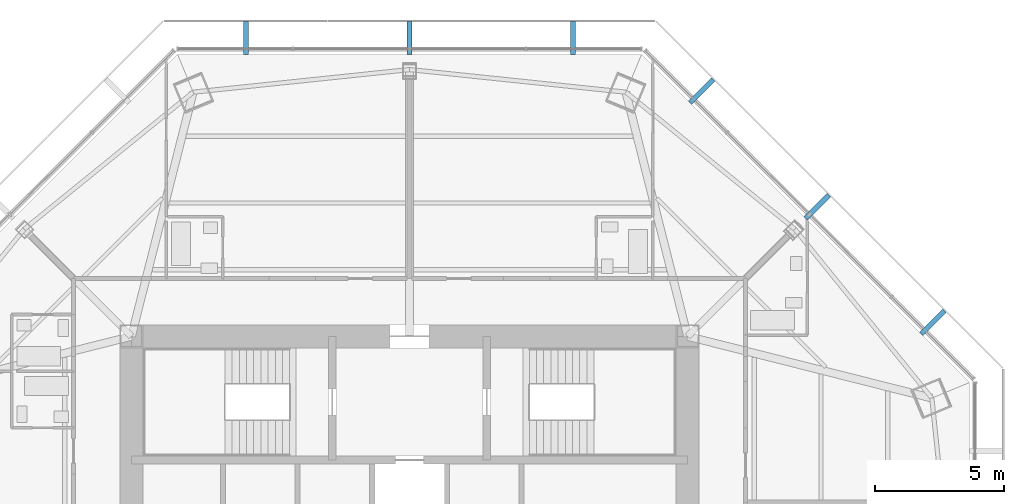
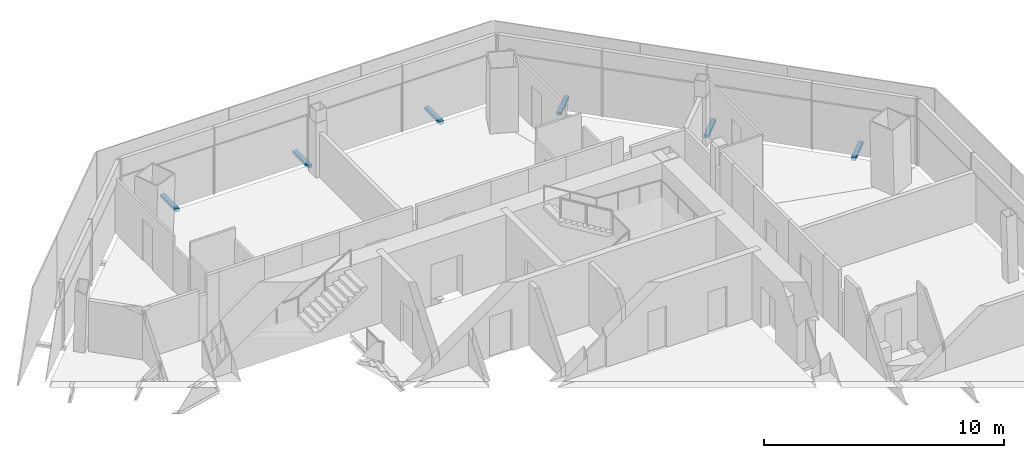
# One storey, part 13 of 15: 6 discrete accessories.
"""IFC4 building model written with IfcOpenShell, lengths in metres."""

import ifcopenshell
import ifcopenshell.guid

model = None  # the IFC model being written
_history = None  # IfcOwnerHistory: only IFC2X3 demands one
_inside = {}  # id of a spatial element -> (the spatial element, [elements in it])
_under = {}  # id of a project, library or spatial element -> (it, [spatial elements below it])
_declared = {}  # id of a project -> (the project, [libraries it declares])
_typed = {}  # id of a type object -> (the type object, [elements of that type])
_made_of = {}  # id of a material, layer set ... -> (it, [elements and type objects made of it])


def new_model(schema):
    """Start an empty IFC model of exactly this schema.

    Asked for "IFC4X3", IfcOpenShell would pick the latest addendum, in which some entities
    have other attributes; the version numbers below select the first issue.
    IFC2X3 requires an IfcOwnerHistory on every rooted entity: one is made here for all.
    """
    global model, _history
    if schema == "IFC4X3":
        model = ifcopenshell.file(schema_version=(4, 3, 0, 0))
    else:
        model = ifcopenshell.file(schema=schema)
    _inside.clear()
    _under.clear()
    _declared.clear()
    _typed.clear()
    _made_of.clear()
    _history = None
    if model.schema == "IFC2X3":
        org = make("IfcOrganization", Name="unknown")
        user = make(
            "IfcPersonAndOrganization",
            ThePerson=make("IfcPerson", FamilyName="unknown"),
            TheOrganization=org,
        )
        app = make(
            "IfcApplication",
            ApplicationDeveloper=org,
            Version="unknown",
            ApplicationFullName="unknown",
            ApplicationIdentifier="unknown",
        )
        _history = make(
            "IfcOwnerHistory",
            OwningUser=user,
            OwningApplication=app,
            ChangeAction="ADDED",
            CreationDate=0,
        )
    return model


def make(cls, **values):
    """One entity of the class cls with the attributes given. An attribute that is None is left unset."""
    return model.create_entity(
        cls, **{name: value for name, value in values.items() if value is not None}
    )


def rooted(cls, **values):
    """An entity with a GlobalId (a new one), such as an element, a storey or a relation."""
    return make(cls, GlobalId=ifcopenshell.guid.new(), OwnerHistory=_history, **values)


def si_unit(unit_type, name, prefix=None):
    """IfcSIUnit, for example si_unit("LENGTHUNIT", "METRE", prefix="MILLI")."""
    return make("IfcSIUnit", UnitType=unit_type, Prefix=prefix, Name=name)


def assignment(units):
    """IfcUnitAssignment: the units of a project."""
    return None if units is None else make("IfcUnitAssignment", Units=units)


def point(xyz):
    """IfcCartesianPoint."""
    return None if xyz is None else make("IfcCartesianPoint", Coordinates=xyz)


def direction(xyz):
    """IfcDirection."""
    return None if xyz is None else make("IfcDirection", DirectionRatios=xyz)


def frame(location, z_axis=None, x_axis=None):
    """IfcAxis2Placement3D, a coordinate frame: its origin and axes. An axis left out is left unset."""
    return make(
        "IfcAxis2Placement3D",
        Location=point(location),
        Axis=direction(z_axis),
        RefDirection=direction(x_axis),
    )


def frame_2d(location, x_axis=None):
    """IfcAxis2Placement2D, a coordinate frame in the plane: its origin and x axis."""
    return make(
        "IfcAxis2Placement2D", Location=point(location), RefDirection=direction(x_axis)
    )


def origin():
    """The frame at (0, 0, 0) with its axes left unset."""
    return frame((0.0, 0.0, 0.0))


def origin_2d():
    """The frame at (0, 0) in the plane with its x axis left unset."""
    return frame_2d((0.0, 0.0))


def place(relative_to, where):
    """IfcLocalPlacement: puts the frame where relative to a parent placement (None: the world)."""
    return make(
        "IfcLocalPlacement", PlacementRelTo=relative_to, RelativePlacement=where
    )


def context(
    kind, dimensions, precision=None, world=None, true_north=None, identifier=None
):
    """IfcGeometricRepresentationContext, for example the 3D "Model" context."""
    return make(
        "IfcGeometricRepresentationContext",
        ContextIdentifier=identifier,
        ContextType=kind,
        CoordinateSpaceDimension=dimensions,
        Precision=precision,
        WorldCoordinateSystem=world,
        TrueNorth=true_north,
    )


def subcontext(parent, identifier, kind, view, scale=None):
    """IfcGeometricRepresentationSubContext, for example "Body" below "Model"."""
    return make(
        "IfcGeometricRepresentationSubContext",
        ContextIdentifier=identifier,
        ContextType=kind,
        ParentContext=parent,
        TargetScale=scale,
        TargetView=view,
    )


def project(units=None, contexts=None):
    """IfcProject with its units and contexts."""
    return rooted(
        "IfcProject",
        Name="project",
        RepresentationContexts=contexts,
        UnitsInContext=assignment(units),
    )


def spatial(cls, under=None, at=None, **own):
    """A site, building, storey or space (cls), placed at a placement, below another one or the project."""
    s = rooted(cls, ObjectPlacement=at, **own)
    if under is not None:
        _under.setdefault(under.id(), (under, []))[1].append(s)
    return s


def profile(cls, at=None, kind="AREA", **sizes):
    """A parametric profile (cls). Its sizes go by their IFC names, for example OverallWidth=200.0."""
    return make(cls, ProfileType=kind, Position=at, **sizes)


def rectangle(**sizes):
    """IfcRectangleProfileDef."""
    return profile("IfcRectangleProfileDef", **sizes)


def extrude(swept, where, along, depth):
    """IfcExtrudedAreaSolid: the profile swept, set in the frame where, extruded along a direction by depth."""
    return make(
        "IfcExtrudedAreaSolid",
        SweptArea=swept,
        Position=where,
        ExtrudedDirection=direction(along),
        Depth=depth,
    )


def shape(context_of_items, identifier, shape_type, items):
    """IfcShapeRepresentation: the items that make up one representation, for example the "Body"."""
    return make(
        "IfcShapeRepresentation",
        ContextOfItems=context_of_items,
        RepresentationIdentifier=identifier,
        RepresentationType=shape_type,
        Items=items,
    )


def source(mapping_origin, context_of_items, identifier, shape_type, items):
    """IfcRepresentationMap: a shape defined once, which mapped items show again and again."""
    return make(
        "IfcRepresentationMap",
        MappingOrigin=mapping_origin,
        MappedRepresentation=shape(context_of_items, identifier, shape_type, items),
    )


def transform(
    local_origin,
    x_axis=None,
    y_axis=None,
    z_axis=None,
    scale=None,
    scale2=None,
    scale3=None,
    uniform=True,
):
    """IfcCartesianTransformationOperator3D, or its non-uniform kind. x_axis, y_axis, z_axis: its Axis1, 2, 3."""
    if uniform:
        return make(
            "IfcCartesianTransformationOperator3D",
            Axis1=direction(x_axis),
            Axis2=direction(y_axis),
            LocalOrigin=point(local_origin),
            Scale=scale,
            Axis3=direction(z_axis),
        )
    return make(
        "IfcCartesianTransformationOperator3DnonUniform",
        Axis1=direction(x_axis),
        Axis2=direction(y_axis),
        LocalOrigin=point(local_origin),
        Scale=scale,
        Axis3=direction(z_axis),
        Scale2=scale2,
        Scale3=scale3,
    )


def mapped(mapping_source, mapping_target):
    """IfcMappedItem: shows the shape of a source again, moved by a transform."""
    return make(
        "IfcMappedItem", MappingSource=mapping_source, MappingTarget=mapping_target
    )


def material(Name=None, Category=None):
    """IfcMaterial."""
    return make("IfcMaterial", Name=Name, Category=Category)


def made_of(thing, what):
    """Note that an element or type object is made of a material, layer set ...; save() writes the relation."""
    if what is not None:
        _made_of.setdefault(what.id(), (what, []))[1].append(thing)
    return thing


def type_object(cls, material=None, **own):
    """A type object (cls), such as IfcWallType, which elements share."""
    return made_of(rooted(cls, **own), material)


def type_shapes(of_type, sources):
    """Give a type object the sources (RepresentationMaps) that its elements show as mapped items."""
    of_type.RepresentationMaps = sources


def element(
    cls,
    number,
    at=None,
    inside=None,
    cuts=None,
    type_object=None,
    material=None,
    context=None,
    identifier="Body",
    shape_type=None,
    held_by="IfcProductDefinitionShape",
    body=None,
    shapes=None,
    **own,
):
    """One element of the class cls, such as IfcWall. Its Tag is "e" and its number.

    at: its placement. inside: the storey or other place that contains it. cuts: it is an
    opening in that element (IfcRelVoidsElement). A single representation is given by context,
    identifier, shape_type and body (its items); several are given by shapes. held_by: the class
    of the entity that holds the representations. save() writes the other relations.
    """
    e = rooted(cls, Tag="e%d" % number, ObjectPlacement=at, **own)
    if body is not None:
        shapes = [shape(context, identifier, shape_type, body)]
    if shapes is not None:
        e.Representation = make(held_by, Representations=shapes)
    if inside is not None:
        _inside.setdefault(inside.id(), (inside, []))[1].append(e)
    if cuts is not None:
        rooted(
            "IfcRelVoidsElement", RelatingBuildingElement=cuts, RelatedOpeningElement=e
        )
    if type_object is not None:
        _typed.setdefault(type_object.id(), (type_object, []))[1].append(e)
    return made_of(e, material)


def aggregate(whole, parts):
    """IfcRelAggregates: a whole, such as a stair, and the parts it consists of."""
    return rooted("IfcRelAggregates", RelatingObject=whole, RelatedObjects=parts)


def save(model, path):
    """Write the relations noted so far, then the file.

    IfcRelAggregates (storeys below a building ...), IfcRelContainedInSpatialStructure (elements
    in a storey), IfcRelDefinesByType, IfcRelAssociatesMaterial and IfcRelDeclares: one each for
    every whole, place, type object, material and project.
    """
    for whole, parts in _under.values():
        aggregate(whole, parts)
    for where, things in _inside.values():
        rooted(
            "IfcRelContainedInSpatialStructure",
            RelatedElements=things,
            RelatingStructure=where,
        )
    for kind, things in _typed.values():
        rooted("IfcRelDefinesByType", RelatedObjects=things, RelatingType=kind)
    for what, things in _made_of.values():
        rooted("IfcRelAssociatesMaterial", RelatedObjects=things, RelatingMaterial=what)
    for by, libraries in _declared.values():
        rooted("IfcRelDeclares", RelatingContext=by, RelatedDefinitions=libraries)
    model.write(path)


model = new_model("IFC4")

# Units and contexts
model_context = context("Model", 3, precision=1e-05, world=origin(), true_north=direction((0.0, 1.0)))
body_context = subcontext(model_context, "Body", "Model", "MODEL_VIEW")
ifc_project = project(units=[si_unit("LENGTHUNIT", "METRE"), si_unit("AREAUNIT", "SQUARE_METRE"), si_unit("VOLUMEUNIT", "CUBIC_METRE"), si_unit("PLANEANGLEUNIT", "RADIAN"), si_unit("MASSUNIT", "GRAM", prefix="KILO")], contexts=[model_context])

# Site, building, storey
site_placement = place(None, origin())
site = spatial("IfcSite", under=ifc_project, at=site_placement, CompositionType="ELEMENT")
building_placement = place(site_placement, origin())
building = spatial("IfcBuilding", under=site, at=building_placement, Name="Mashrafa Tower", CompositionType="ELEMENT")
storey_placement = place(building_placement, frame((0.0, 0.0, 214.199951171875)))
storey = spatial("IfcBuildingStorey", under=building, at=storey_placement, Name="L49", CompositionType="ELEMENT", Elevation=214.199951171875)

# Discrete accessories
ifc_material = material(Name="Stainless steel screen bracket", Category="steel")
discrete_accessory_type = type_object("IfcDiscreteAccessoryType", Name="Screen support bracket 200 x 150", PredefinedType="BRACKET", material=ifc_material)
shared_shape = source(origin(), body_context, "Body", "SweptSolid", [
    extrude(rectangle(XDim=0.199951171875, YDim=1.27001953125, at=origin_2d()), origin(), (0.0, 0.0, 1.0), 0.14990234375),
])
type_shapes(discrete_accessory_type, [shared_shape])
for number, where, z_axis, x_axis, name in (
    (1, (20.323486328125, 11.341064453125, -0.14990234375), (0.0, 0.0, 1.0), (-0.707106781187, 0.707106781187, 0.0), "Screen support bracket L49 north-east 1"),
    (2, (15.832275390625, 15.832275390625, -0.14990234375), (0.0, 0.0, 1.0), (-0.707106781187, 0.707106781187, 0.0), "Screen support bracket L49 north-east 2"),
    (3, (11.341064453125, 20.323486328125, -0.14990234375), (0.0, 0.0, 1.0), (-0.707106781187, 0.707106781187, 0.0), "Screen support bracket L49 north-east 3"),
    (4, (6.3515625, 22.390380859375, -0.14990234375), (0.0, 0.0, 1.0), (-1.0, 0.0, 0.0), "Screen support bracket L49 north 1"),
    (5, (0.0, 22.390380859375, -0.14990234375), (0.0, 0.0, 1.0), (-1.0, 0.0, 0.0), "Screen support bracket L49 north 2"),
    (6, (-6.3515625, 22.390380859375, -0.14990234375), (0.0, 0.0, 1.0), (-1.0, 0.0, 0.0), "Screen support bracket L49 north 3"),
):
    element("IfcDiscreteAccessory", number, at=place(storey_placement, frame(where, z_axis=z_axis, x_axis=x_axis)), inside=storey, type_object=discrete_accessory_type, Name=name, PredefinedType="BRACKET", context=body_context, shape_type="MappedRepresentation", body=[
        mapped(shared_shape, transform((0.0, 0.0, 0.0))),
    ])

save(model, "model.ifc")
